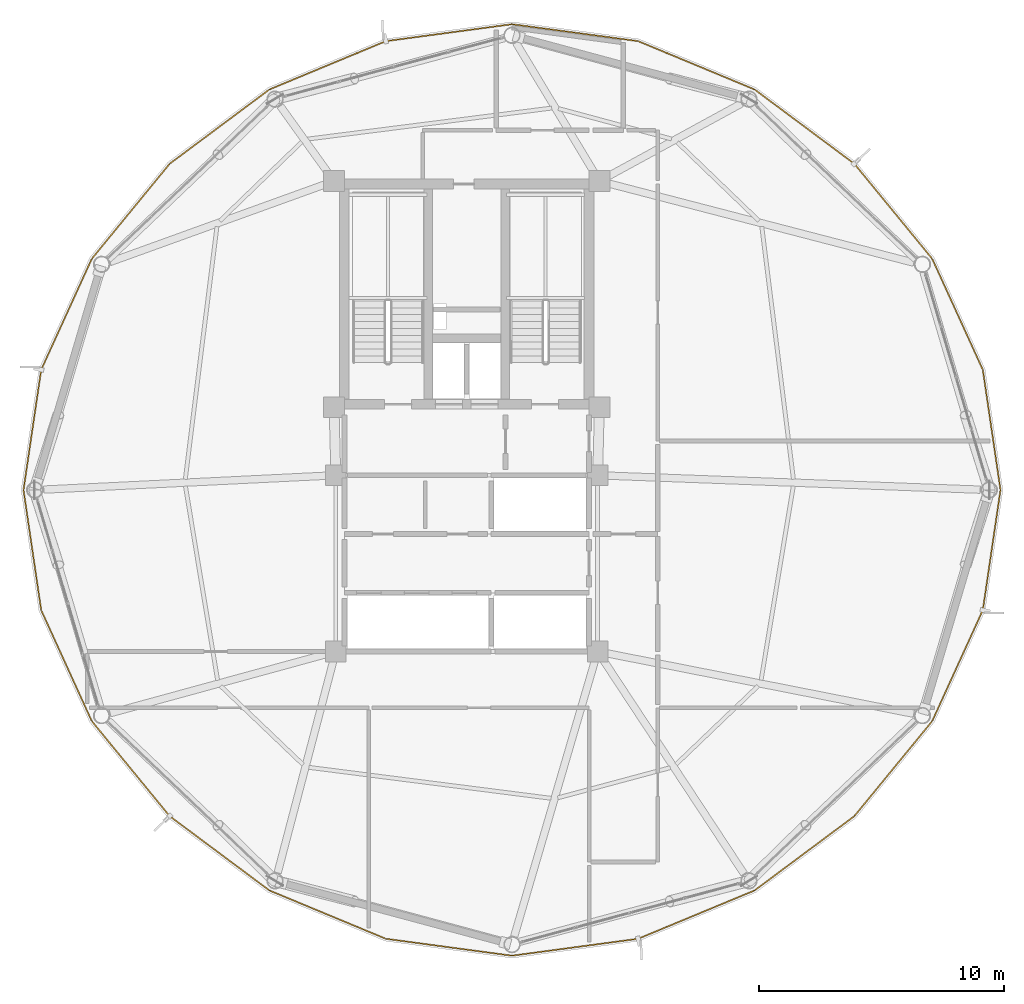
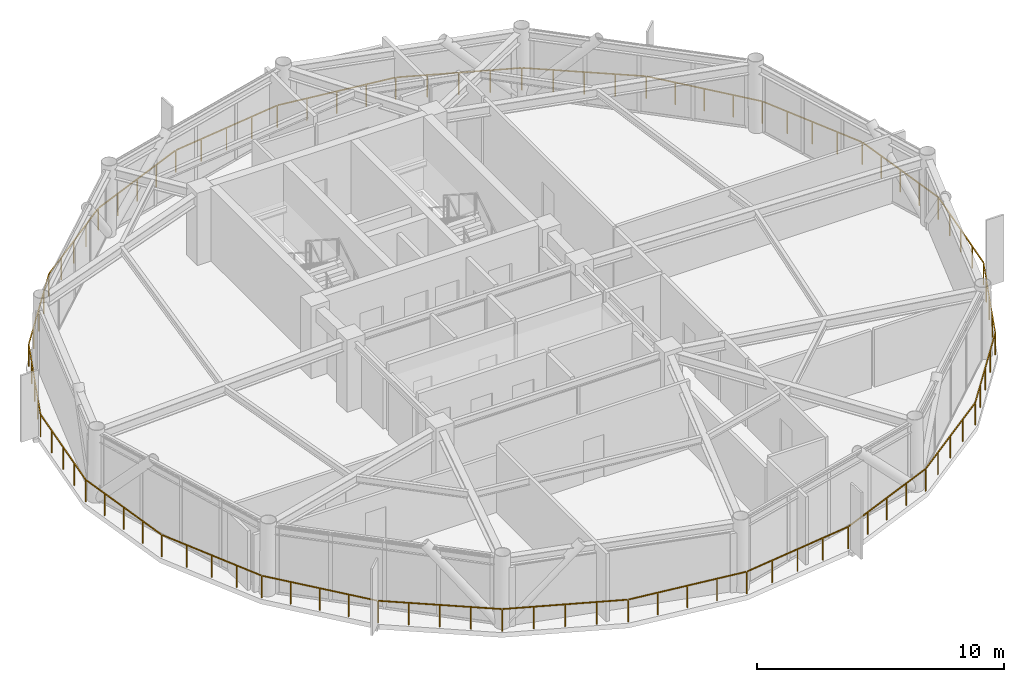
# One storey, part 27 of 28: 1 railing.
"""IFC4 building model written with IfcOpenShell, lengths in metres."""

from ifc_helpers import new_model, si_unit, direction, frame, origin, origin_2d, place, context, subcontext, project, spatial, rectangle, extrude, material, type_object, element, save


model = new_model("IFC4")

# Units and contexts
model_context = context("Model", 3, precision=1e-05, world=origin(), true_north=direction((0.0, 1.0)))
body_context = subcontext(model_context, "Body", "Model", "MODEL_VIEW")
ifc_project = project(units=[si_unit("LENGTHUNIT", "METRE"), si_unit("AREAUNIT", "SQUARE_METRE"), si_unit("VOLUMEUNIT", "CUBIC_METRE"), si_unit("PLANEANGLEUNIT", "RADIAN"), si_unit("MASSUNIT", "GRAM", prefix="KILO")], contexts=[model_context])

# Site, building, storey
site_placement = place(None, origin())
site = spatial("IfcSite", under=ifc_project, at=site_placement, CompositionType="ELEMENT")
building_placement = place(site_placement, origin())
building = spatial("IfcBuilding", under=site, at=building_placement, Name="Varnakorn Sky Granary", CompositionType="ELEMENT")
storey_placement = place(building_placement, frame((0.0, 0.0, 193.199951171875)))
storey = spatial("IfcBuildingStorey", under=building, at=storey_placement, Name="L48", CompositionType="ELEMENT", Elevation=193.199951171875)

# Railing
ifc_material = material(Name="Anodised Bronze Aluminium Alloy 6063-T6", Category="aluminium")
railing_type = type_object("IfcRailingType", Name="RL-BAL-1120", PredefinedType="BALUSTRADE", material=ifc_material)
railing_placement = place(storey_placement, frame((24.809814453125, 0.0, 0.0)))
element("IfcRailing", 1, at=railing_placement, inside=storey, type_object=railing_type, Name="Perimeter Slab-Edge Safety Guard L48", PredefinedType="BALUSTRADE", context=body_context, shape_type="SweptSolid", body=[
    extrude(rectangle(XDim=0.048095703125, YDim=0.048095703125, at=origin_2d()), frame((-0.004150390625, -0.027587890625, 1.09619140625), z_axis=(-0.145578944603, -0.989346638387, 0.0), x_axis=(0.989346638387, -0.145578944603, 0.0)), (0.0, 0.0, 1.0), 4.907958984375),
    extrude(rectangle(XDim=0.048095703125, YDim=0.048095703125, at=origin_2d()), frame((-0.734375, -4.9365234375, 1.09619140625), z_axis=(-0.414758940152, -0.909931327939, 0.0), x_axis=(0.909931327939, -0.414758940152, 0.0)), (0.0, 0.0, 1.0), 4.92626953125),
    extrude(rectangle(XDim=0.048095703125, YDim=0.048095703125, at=origin_2d()), frame((-2.806884765625, -9.46630859375, 1.09619140625), z_axis=(-0.633896959449, -0.773417510017, 0.0), x_axis=(0.773417510017, -0.633896959449, 0.0)), (0.0, 0.0, 1.0), 4.96435546875),
    extrude(rectangle(XDim=0.048095703125, YDim=0.048095703125, at=origin_2d()), frame((-5.993896484375, -13.34423828125, 1.09619140625), z_axis=(-0.801932922486, -0.597414084059, 0.0), x_axis=(0.597414084059, -0.801932922486, 0.0)), (0.0, 0.0, 1.0), 5.025634765625),
    extrude(rectangle(XDim=0.048095703125, YDim=0.048095703125, at=origin_2d()), frame((-10.072509765625, -16.3740234375, 1.09619140625), z_axis=(-0.923615719552, -0.383319713291, 0.0), x_axis=(0.383319713291, -0.923615719552, 0.0)), (0.0, 0.0, 1.0), 5.0966796875),
    extrude(rectangle(XDim=0.048095703125, YDim=0.048095703125, at=origin_2d()), frame((-14.83349609375, -18.342041015625, 1.09619140625), z_axis=(-0.991115608418, -0.133003198269, 0.0), x_axis=(0.133003198269, -0.991115608418, 0.0)), (0.0, 0.0, 1.0), 5.144287109375),
    extrude(rectangle(XDim=0.048095703125, YDim=0.048095703125, at=origin_2d()), frame((-19.987548828125, -19.0263671875, 1.09619140625), z_axis=(-0.99111643886, 0.132997009819, 0.0), x_axis=(-0.132997009819, -0.99111643886, 0.0)), (0.0, 0.0, 1.0), 5.14453125),
    extrude(rectangle(XDim=0.048095703125, YDim=0.048095703125, at=origin_2d()), frame((-25.139892578125, -18.32763671875, 1.09619140625), z_axis=(-0.923615719552, 0.383319713291, 0.0), x_axis=(-0.383319713291, -0.923615719552, 0.0)), (0.0, 0.0, 1.0), 5.0966796875),
    extrude(rectangle(XDim=0.048095703125, YDim=0.048095703125, at=origin_2d()), frame((-29.8955078125, -16.346435546875, 1.09619140625), z_axis=(-0.801932922486, 0.597414084059, 0.0), x_axis=(-0.597414084059, -0.801932922486, 0.0)), (0.0, 0.0, 1.0), 5.025634765625),
    extrude(rectangle(XDim=0.048095703125, YDim=0.048095703125, at=origin_2d()), frame((-33.966064453125, -13.3056640625, 1.09619140625), z_axis=(-0.633896959449, 0.773417510017, 0.0), x_axis=(-0.773417510017, -0.633896959449, 0.0)), (0.0, 0.0, 1.0), 4.96435546875),
    extrude(rectangle(XDim=0.048095703125, YDim=0.048095703125, at=origin_2d()), frame((-37.142333984375, -9.419189453125, 1.09619140625), z_axis=(-0.414758940152, 0.909931327939, 0.0), x_axis=(-0.909931327939, -0.414758940152, 0.0)), (0.0, 0.0, 1.0), 4.92626953125),
    extrude(rectangle(XDim=0.048095703125, YDim=0.048095703125, at=origin_2d()), frame((-39.201171875, -4.883544921875, 1.09619140625), z_axis=(-0.145578944603, 0.989346638387, 0.0), x_axis=(-0.989346638387, -0.145578944603, 0.0)), (0.0, 0.0, 1.0), 4.907958984375),
    extrude(rectangle(XDim=0.048095703125, YDim=0.048095703125, at=origin_2d()), frame((-39.91552734375, 0.027587890625, 1.09619140625), z_axis=(0.145578944603, 0.989346638387, 0.0), x_axis=(-0.989346638387, 0.145578944603, 0.0)), (0.0, 0.0, 1.0), 4.907958984375),
    extrude(rectangle(XDim=0.048095703125, YDim=0.048095703125, at=origin_2d()), frame((-39.185302734375, 4.9365234375, 1.09619140625), z_axis=(0.414758940152, 0.909931327939, 0.0), x_axis=(-0.909931327939, 0.414758940152, 0.0)), (0.0, 0.0, 1.0), 4.92626953125),
    extrude(rectangle(XDim=0.048095703125, YDim=0.048095703125, at=origin_2d()), frame((-37.11279296875, 9.46630859375, 1.09619140625), z_axis=(0.633896959449, 0.773417510017, 0.0), x_axis=(-0.773417510017, 0.633896959449, 0.0)), (0.0, 0.0, 1.0), 4.96435546875),
    extrude(rectangle(XDim=0.048095703125, YDim=0.048095703125, at=origin_2d()), frame((-33.92578125, 13.34423828125, 1.09619140625), z_axis=(0.801932922486, 0.597414084059, 0.0), x_axis=(-0.597414084059, 0.801932922486, 0.0)), (0.0, 0.0, 1.0), 5.025634765625),
    extrude(rectangle(XDim=0.048095703125, YDim=0.048095703125, at=origin_2d()), frame((-29.84716796875, 16.3740234375, 1.09619140625), z_axis=(0.923615719552, 0.383319713291, 0.0), x_axis=(-0.383319713291, 0.923615719552, 0.0)), (0.0, 0.0, 1.0), 5.0966796875),
    extrude(rectangle(XDim=0.048095703125, YDim=0.048095703125, at=origin_2d()), frame((-25.086181640625, 18.342041015625, 1.09619140625), z_axis=(0.99111643886, 0.132997009819, 0.0), x_axis=(-0.132997009819, 0.99111643886, 0.0)), (0.0, 0.0, 1.0), 5.14453125),
    extrude(rectangle(XDim=0.048095703125, YDim=0.048095703125, at=origin_2d()), frame((-19.931884765625, 19.0263671875, 1.09619140625), z_axis=(0.991115608418, -0.133003198269, 0.0), x_axis=(0.133003198269, 0.991115608418, 0.0)), (0.0, 0.0, 1.0), 5.144287109375),
    extrude(rectangle(XDim=0.048095703125, YDim=0.048095703125, at=origin_2d()), frame((-14.77978515625, 18.32763671875, 1.09619140625), z_axis=(0.923615719552, -0.383319713291, 0.0), x_axis=(0.383319713291, 0.923615719552, 0.0)), (0.0, 0.0, 1.0), 5.0966796875),
    extrude(rectangle(XDim=0.048095703125, YDim=0.048095703125, at=origin_2d()), frame((-10.024169921875, 16.346435546875, 1.09619140625), z_axis=(0.801932922486, -0.597414084059, 0.0), x_axis=(0.597414084059, 0.801932922486, 0.0)), (0.0, 0.0, 1.0), 5.025634765625),
    extrude(rectangle(XDim=0.048095703125, YDim=0.048095703125, at=origin_2d()), frame((-5.95361328125, 13.3056640625, 1.09619140625), z_axis=(0.633896959449, -0.773417510017, 0.0), x_axis=(0.773417510017, 0.633896959449, 0.0)), (0.0, 0.0, 1.0), 4.96435546875),
    extrude(rectangle(XDim=0.048095703125, YDim=0.048095703125, at=origin_2d()), frame((-2.77734375, 9.419189453125, 1.09619140625), z_axis=(0.414758940152, -0.909931327939, 0.0), x_axis=(0.909931327939, 0.414758940152, 0.0)), (0.0, 0.0, 1.0), 4.92626953125),
    extrude(rectangle(XDim=0.048095703125, YDim=0.048095703125, at=origin_2d()), frame((-0.718505859375, 4.883544921875, 1.09619140625), z_axis=(0.145578944603, -0.989346638387, 0.0), x_axis=(0.989346638387, 0.145578944603, 0.0)), (0.0, 0.0, 1.0), 4.907958984375),
    extrude(rectangle(XDim=0.0419921875, YDim=0.0419921875, at=origin_2d()), origin(), (0.0, 0.0, 1.0), 1.068115234375),
    extrude(rectangle(XDim=0.0419921875, YDim=0.0419921875, at=origin_2d()), frame((-0.1806640625, -1.227783203125, 0.0)), (0.0, 0.0, 1.0), 1.068115234375),
    extrude(rectangle(XDim=0.0419921875, YDim=0.0419921875, at=origin_2d()), frame((-0.361328125, -2.45556640625, 0.0)), (0.0, 0.0, 1.0), 1.068115234375),
    extrude(rectangle(XDim=0.0419921875, YDim=0.0419921875, at=origin_2d()), frame((-0.5419921875, -3.683349609375, 0.0)), (0.0, 0.0, 1.0), 1.068115234375),
    extrude(rectangle(XDim=0.0419921875, YDim=0.0419921875, at=origin_2d()), frame((-0.72265625, -4.9111328125, 0.0)), (0.0, 0.0, 1.0), 1.068115234375),
    extrude(rectangle(XDim=0.0419921875, YDim=0.0419921875, at=origin_2d()), frame((-1.2392578125, -6.04443359375, 0.0)), (0.0, 0.0, 1.0), 1.068115234375),
    extrude(rectangle(XDim=0.0419921875, YDim=0.0419921875, at=origin_2d()), frame((-1.755859375, -7.177734375, 0.0)), (0.0, 0.0, 1.0), 1.068115234375),
    extrude(rectangle(XDim=0.0419921875, YDim=0.0419921875, at=origin_2d()), frame((-2.2724609375, -8.311279296875, 0.0)), (0.0, 0.0, 1.0), 1.068115234375),
    extrude(rectangle(XDim=0.0419921875, YDim=0.0419921875, at=origin_2d()), frame((-2.7890625, -9.444580078125, 0.0)), (0.0, 0.0, 1.0), 1.068115234375),
    extrude(rectangle(XDim=0.0419921875, YDim=0.0419921875, at=origin_2d()), frame((-3.584716796875, -10.415283203125, 0.0)), (0.0, 0.0, 1.0), 1.068115234375),
    extrude(rectangle(XDim=0.0419921875, YDim=0.0419921875, at=origin_2d()), frame((-4.38037109375, -11.385986328125, 0.0)), (0.0, 0.0, 1.0), 1.068115234375),
    extrude(rectangle(XDim=0.0419921875, YDim=0.0419921875, at=origin_2d()), frame((-5.17578125, -12.356689453125, 0.0)), (0.0, 0.0, 1.0), 1.068115234375),
    extrude(rectangle(XDim=0.0419921875, YDim=0.0419921875, at=origin_2d()), frame((-5.971435546875, -13.327392578125, 0.0)), (0.0, 0.0, 1.0), 1.068115234375),
    extrude(rectangle(XDim=0.0419921875, YDim=0.0419921875, at=origin_2d()), frame((-6.990234375, -14.08642578125, 0.0)), (0.0, 0.0, 1.0), 1.068115234375),
    extrude(rectangle(XDim=0.0419921875, YDim=0.0419921875, at=origin_2d()), frame((-8.009033203125, -14.84521484375, 0.0)), (0.0, 0.0, 1.0), 1.068115234375),
    extrude(rectangle(XDim=0.0419921875, YDim=0.0419921875, at=origin_2d()), frame((-9.02783203125, -15.604248046875, 0.0)), (0.0, 0.0, 1.0), 1.068115234375),
    extrude(rectangle(XDim=0.0419921875, YDim=0.0419921875, at=origin_2d()), frame((-10.046630859375, -16.36328125, 0.0)), (0.0, 0.0, 1.0), 1.068115234375),
    extrude(rectangle(XDim=0.0419921875, YDim=0.0419921875, at=origin_2d()), frame((-11.236328125, -16.85693359375, 0.0)), (0.0, 0.0, 1.0), 1.068115234375),
    extrude(rectangle(XDim=0.0419921875, YDim=0.0419921875, at=origin_2d()), frame((-12.42626953125, -17.350830078125, 0.0)), (0.0, 0.0, 1.0), 1.068115234375),
    extrude(rectangle(XDim=0.0419921875, YDim=0.0419921875, at=origin_2d()), frame((-13.615966796875, -17.8447265625, 0.0)), (0.0, 0.0, 1.0), 1.068115234375),
    extrude(rectangle(XDim=0.0419921875, YDim=0.0419921875, at=origin_2d()), frame((-14.8056640625, -18.33837890625, 0.0)), (0.0, 0.0, 1.0), 1.068115234375),
    extrude(rectangle(XDim=0.0419921875, YDim=0.0419921875, at=origin_2d()), frame((-16.09423828125, -18.51123046875, 0.0)), (0.0, 0.0, 1.0), 1.068115234375),
    extrude(rectangle(XDim=0.0419921875, YDim=0.0419921875, at=origin_2d()), frame((-17.3828125, -18.68408203125, 0.0)), (0.0, 0.0, 1.0), 1.068115234375),
    extrude(rectangle(XDim=0.0419921875, YDim=0.0419921875, at=origin_2d()), frame((-18.671142578125, -18.857177734375, 0.0)), (0.0, 0.0, 1.0), 1.068115234375),
    extrude(rectangle(XDim=0.0419921875, YDim=0.0419921875, at=origin_2d()), frame((-19.959716796875, -19.030029296875, 0.0)), (0.0, 0.0, 1.0), 1.068115234375),
    extrude(rectangle(XDim=0.0419921875, YDim=0.0419921875, at=origin_2d()), frame((-21.248291015625, -18.857177734375, 0.0)), (0.0, 0.0, 1.0), 1.068115234375),
    extrude(rectangle(XDim=0.0419921875, YDim=0.0419921875, at=origin_2d()), frame((-22.536865234375, -18.68408203125, 0.0)), (0.0, 0.0, 1.0), 1.068115234375),
    extrude(rectangle(XDim=0.0419921875, YDim=0.0419921875, at=origin_2d()), frame((-23.825439453125, -18.51123046875, 0.0)), (0.0, 0.0, 1.0), 1.068115234375),
    extrude(rectangle(XDim=0.0419921875, YDim=0.0419921875, at=origin_2d()), frame((-25.114013671875, -18.33837890625, 0.0)), (0.0, 0.0, 1.0), 1.068115234375),
    extrude(rectangle(XDim=0.0419921875, YDim=0.0419921875, at=origin_2d()), frame((-26.3037109375, -17.8447265625, 0.0)), (0.0, 0.0, 1.0), 1.068115234375),
    extrude(rectangle(XDim=0.0419921875, YDim=0.0419921875, at=origin_2d()), frame((-27.49365234375, -17.350830078125, 0.0)), (0.0, 0.0, 1.0), 1.068115234375),
    extrude(rectangle(XDim=0.0419921875, YDim=0.0419921875, at=origin_2d()), frame((-28.683349609375, -16.85693359375, 0.0)), (0.0, 0.0, 1.0), 1.068115234375),
    extrude(rectangle(XDim=0.0419921875, YDim=0.0419921875, at=origin_2d()), frame((-29.873046875, -16.36328125, 0.0)), (0.0, 0.0, 1.0), 1.068115234375),
    extrude(rectangle(XDim=0.0419921875, YDim=0.0419921875, at=origin_2d()), frame((-30.891845703125, -15.604248046875, 0.0)), (0.0, 0.0, 1.0), 1.068115234375),
    extrude(rectangle(XDim=0.0419921875, YDim=0.0419921875, at=origin_2d()), frame((-31.91064453125, -14.84521484375, 0.0)), (0.0, 0.0, 1.0), 1.068115234375),
    extrude(rectangle(XDim=0.0419921875, YDim=0.0419921875, at=origin_2d()), frame((-32.929443359375, -14.08642578125, 0.0)), (0.0, 0.0, 1.0), 1.068115234375),
    extrude(rectangle(XDim=0.0419921875, YDim=0.0419921875, at=origin_2d()), frame((-33.9482421875, -13.327392578125, 0.0)), (0.0, 0.0, 1.0), 1.068115234375),
    extrude(rectangle(XDim=0.0419921875, YDim=0.0419921875, at=origin_2d()), frame((-34.743896484375, -12.356689453125, 0.0)), (0.0, 0.0, 1.0), 1.068115234375),
    extrude(rectangle(XDim=0.0419921875, YDim=0.0419921875, at=origin_2d()), frame((-35.53955078125, -11.385986328125, 0.0)), (0.0, 0.0, 1.0), 1.068115234375),
    extrude(rectangle(XDim=0.0419921875, YDim=0.0419921875, at=origin_2d()), frame((-36.3349609375, -10.415283203125, 0.0)), (0.0, 0.0, 1.0), 1.068115234375),
    extrude(rectangle(XDim=0.0419921875, YDim=0.0419921875, at=origin_2d()), frame((-37.130615234375, -9.444580078125, 0.0)), (0.0, 0.0, 1.0), 1.068115234375),
    extrude(rectangle(XDim=0.0419921875, YDim=0.0419921875, at=origin_2d()), frame((-37.647216796875, -8.311279296875, 0.0)), (0.0, 0.0, 1.0), 1.068115234375),
    extrude(rectangle(XDim=0.0419921875, YDim=0.0419921875, at=origin_2d()), frame((-38.163818359375, -7.177734375, 0.0)), (0.0, 0.0, 1.0), 1.068115234375),
    extrude(rectangle(XDim=0.0419921875, YDim=0.0419921875, at=origin_2d()), frame((-38.680419921875, -6.04443359375, 0.0)), (0.0, 0.0, 1.0), 1.068115234375),
    extrude(rectangle(XDim=0.0419921875, YDim=0.0419921875, at=origin_2d()), frame((-39.197021484375, -4.9111328125, 0.0)), (0.0, 0.0, 1.0), 1.068115234375),
    extrude(rectangle(XDim=0.0419921875, YDim=0.0419921875, at=origin_2d()), frame((-39.377685546875, -3.683349609375, 0.0)), (0.0, 0.0, 1.0), 1.068115234375),
    extrude(rectangle(XDim=0.0419921875, YDim=0.0419921875, at=origin_2d()), frame((-39.558349609375, -2.45556640625, 0.0)), (0.0, 0.0, 1.0), 1.068115234375),
    extrude(rectangle(XDim=0.0419921875, YDim=0.0419921875, at=origin_2d()), frame((-39.739013671875, -1.227783203125, 0.0)), (0.0, 0.0, 1.0), 1.068115234375),
    extrude(rectangle(XDim=0.0419921875, YDim=0.0419921875, at=origin_2d()), frame((-39.919677734375, 0.0, 0.0)), (0.0, 0.0, 1.0), 1.068115234375),
    extrude(rectangle(XDim=0.0419921875, YDim=0.0419921875, at=origin_2d()), frame((-39.739013671875, 1.227783203125, 0.0)), (0.0, 0.0, 1.0), 1.068115234375),
    extrude(rectangle(XDim=0.0419921875, YDim=0.0419921875, at=origin_2d()), frame((-39.558349609375, 2.45556640625, 0.0)), (0.0, 0.0, 1.0), 1.068115234375),
    extrude(rectangle(XDim=0.0419921875, YDim=0.0419921875, at=origin_2d()), frame((-39.377685546875, 3.683349609375, 0.0)), (0.0, 0.0, 1.0), 1.068115234375),
    extrude(rectangle(XDim=0.0419921875, YDim=0.0419921875, at=origin_2d()), frame((-39.197021484375, 4.9111328125, 0.0)), (0.0, 0.0, 1.0), 1.068115234375),
    extrude(rectangle(XDim=0.0419921875, YDim=0.0419921875, at=origin_2d()), frame((-38.680419921875, 6.04443359375, 0.0)), (0.0, 0.0, 1.0), 1.068115234375),
    extrude(rectangle(XDim=0.0419921875, YDim=0.0419921875, at=origin_2d()), frame((-38.163818359375, 7.177734375, 0.0)), (0.0, 0.0, 1.0), 1.068115234375),
    extrude(rectangle(XDim=0.0419921875, YDim=0.0419921875, at=origin_2d()), frame((-37.647216796875, 8.311279296875, 0.0)), (0.0, 0.0, 1.0), 1.068115234375),
    extrude(rectangle(XDim=0.0419921875, YDim=0.0419921875, at=origin_2d()), frame((-37.130615234375, 9.444580078125, 0.0)), (0.0, 0.0, 1.0), 1.068115234375),
    extrude(rectangle(XDim=0.0419921875, YDim=0.0419921875, at=origin_2d()), frame((-36.3349609375, 10.415283203125, 0.0)), (0.0, 0.0, 1.0), 1.068115234375),
    extrude(rectangle(XDim=0.0419921875, YDim=0.0419921875, at=origin_2d()), frame((-35.53955078125, 11.385986328125, 0.0)), (0.0, 0.0, 1.0), 1.068115234375),
    extrude(rectangle(XDim=0.0419921875, YDim=0.0419921875, at=origin_2d()), frame((-34.743896484375, 12.356689453125, 0.0)), (0.0, 0.0, 1.0), 1.068115234375),
    extrude(rectangle(XDim=0.0419921875, YDim=0.0419921875, at=origin_2d()), frame((-33.9482421875, 13.327392578125, 0.0)), (0.0, 0.0, 1.0), 1.068115234375),
    extrude(rectangle(XDim=0.0419921875, YDim=0.0419921875, at=origin_2d()), frame((-32.929443359375, 14.08642578125, 0.0)), (0.0, 0.0, 1.0), 1.068115234375),
    extrude(rectangle(XDim=0.0419921875, YDim=0.0419921875, at=origin_2d()), frame((-31.91064453125, 14.84521484375, 0.0)), (0.0, 0.0, 1.0), 1.068115234375),
    extrude(rectangle(XDim=0.0419921875, YDim=0.0419921875, at=origin_2d()), frame((-30.891845703125, 15.604248046875, 0.0)), (0.0, 0.0, 1.0), 1.068115234375),
    extrude(rectangle(XDim=0.0419921875, YDim=0.0419921875, at=origin_2d()), frame((-29.873046875, 16.36328125, 0.0)), (0.0, 0.0, 1.0), 1.068115234375),
    extrude(rectangle(XDim=0.0419921875, YDim=0.0419921875, at=origin_2d()), frame((-28.683349609375, 16.85693359375, 0.0)), (0.0, 0.0, 1.0), 1.068115234375),
    extrude(rectangle(XDim=0.0419921875, YDim=0.0419921875, at=origin_2d()), frame((-27.49365234375, 17.350830078125, 0.0)), (0.0, 0.0, 1.0), 1.068115234375),
    extrude(rectangle(XDim=0.0419921875, YDim=0.0419921875, at=origin_2d()), frame((-26.3037109375, 17.8447265625, 0.0)), (0.0, 0.0, 1.0), 1.068115234375),
    extrude(rectangle(XDim=0.0419921875, YDim=0.0419921875, at=origin_2d()), frame((-25.114013671875, 18.33837890625, 0.0)), (0.0, 0.0, 1.0), 1.068115234375),
    extrude(rectangle(XDim=0.0419921875, YDim=0.0419921875, at=origin_2d()), frame((-23.825439453125, 18.51123046875, 0.0)), (0.0, 0.0, 1.0), 1.068115234375),
    extrude(rectangle(XDim=0.0419921875, YDim=0.0419921875, at=origin_2d()), frame((-22.536865234375, 18.68408203125, 0.0)), (0.0, 0.0, 1.0), 1.068115234375),
    extrude(rectangle(XDim=0.0419921875, YDim=0.0419921875, at=origin_2d()), frame((-21.248291015625, 18.857177734375, 0.0)), (0.0, 0.0, 1.0), 1.068115234375),
    extrude(rectangle(XDim=0.0419921875, YDim=0.0419921875, at=origin_2d()), frame((-19.959716796875, 19.030029296875, 0.0)), (0.0, 0.0, 1.0), 1.068115234375),
    extrude(rectangle(XDim=0.0419921875, YDim=0.0419921875, at=origin_2d()), frame((-18.671142578125, 18.857177734375, 0.0)), (0.0, 0.0, 1.0), 1.068115234375),
    extrude(rectangle(XDim=0.0419921875, YDim=0.0419921875, at=origin_2d()), frame((-17.3828125, 18.68408203125, 0.0)), (0.0, 0.0, 1.0), 1.068115234375),
    extrude(rectangle(XDim=0.0419921875, YDim=0.0419921875, at=origin_2d()), frame((-16.09423828125, 18.51123046875, 0.0)), (0.0, 0.0, 1.0), 1.068115234375),
    extrude(rectangle(XDim=0.0419921875, YDim=0.0419921875, at=origin_2d()), frame((-14.8056640625, 18.33837890625, 0.0)), (0.0, 0.0, 1.0), 1.068115234375),
    extrude(rectangle(XDim=0.0419921875, YDim=0.0419921875, at=origin_2d()), frame((-13.615966796875, 17.8447265625, 0.0)), (0.0, 0.0, 1.0), 1.068115234375),
    extrude(rectangle(XDim=0.0419921875, YDim=0.0419921875, at=origin_2d()), frame((-12.42626953125, 17.350830078125, 0.0)), (0.0, 0.0, 1.0), 1.068115234375),
    extrude(rectangle(XDim=0.0419921875, YDim=0.0419921875, at=origin_2d()), frame((-11.236328125, 16.85693359375, 0.0)), (0.0, 0.0, 1.0), 1.068115234375),
    extrude(rectangle(XDim=0.0419921875, YDim=0.0419921875, at=origin_2d()), frame((-10.046630859375, 16.36328125, 0.0)), (0.0, 0.0, 1.0), 1.068115234375),
    extrude(rectangle(XDim=0.0419921875, YDim=0.0419921875, at=origin_2d()), frame((-9.02783203125, 15.604248046875, 0.0)), (0.0, 0.0, 1.0), 1.068115234375),
    extrude(rectangle(XDim=0.0419921875, YDim=0.0419921875, at=origin_2d()), frame((-8.009033203125, 14.84521484375, 0.0)), (0.0, 0.0, 1.0), 1.068115234375),
    extrude(rectangle(XDim=0.0419921875, YDim=0.0419921875, at=origin_2d()), frame((-6.990234375, 14.08642578125, 0.0)), (0.0, 0.0, 1.0), 1.068115234375),
    extrude(rectangle(XDim=0.0419921875, YDim=0.0419921875, at=origin_2d()), frame((-5.971435546875, 13.327392578125, 0.0)), (0.0, 0.0, 1.0), 1.068115234375),
    extrude(rectangle(XDim=0.0419921875, YDim=0.0419921875, at=origin_2d()), frame((-5.17578125, 12.356689453125, 0.0)), (0.0, 0.0, 1.0), 1.068115234375),
    extrude(rectangle(XDim=0.0419921875, YDim=0.0419921875, at=origin_2d()), frame((-4.38037109375, 11.385986328125, 0.0)), (0.0, 0.0, 1.0), 1.068115234375),
    extrude(rectangle(XDim=0.0419921875, YDim=0.0419921875, at=origin_2d()), frame((-3.584716796875, 10.415283203125, 0.0)), (0.0, 0.0, 1.0), 1.068115234375),
    extrude(rectangle(XDim=0.0419921875, YDim=0.0419921875, at=origin_2d()), frame((-2.7890625, 9.444580078125, 0.0)), (0.0, 0.0, 1.0), 1.068115234375),
    extrude(rectangle(XDim=0.0419921875, YDim=0.0419921875, at=origin_2d()), frame((-2.2724609375, 8.311279296875, 0.0)), (0.0, 0.0, 1.0), 1.068115234375),
    extrude(rectangle(XDim=0.0419921875, YDim=0.0419921875, at=origin_2d()), frame((-1.755859375, 7.177734375, 0.0)), (0.0, 0.0, 1.0), 1.068115234375),
    extrude(rectangle(XDim=0.0419921875, YDim=0.0419921875, at=origin_2d()), frame((-1.2392578125, 6.04443359375, 0.0)), (0.0, 0.0, 1.0), 1.068115234375),
    extrude(rectangle(XDim=0.0419921875, YDim=0.0419921875, at=origin_2d()), frame((-0.72265625, 4.9111328125, 0.0)), (0.0, 0.0, 1.0), 1.068115234375),
    extrude(rectangle(XDim=0.0419921875, YDim=0.0419921875, at=origin_2d()), frame((-0.5419921875, 3.683349609375, 0.0)), (0.0, 0.0, 1.0), 1.068115234375),
    extrude(rectangle(XDim=0.0419921875, YDim=0.0419921875, at=origin_2d()), frame((-0.361328125, 2.45556640625, 0.0)), (0.0, 0.0, 1.0), 1.068115234375),
    extrude(rectangle(XDim=0.0419921875, YDim=0.0419921875, at=origin_2d()), frame((-0.1806640625, 1.227783203125, 0.0)), (0.0, 0.0, 1.0), 1.068115234375),
])

save(model, "model.ifc")
